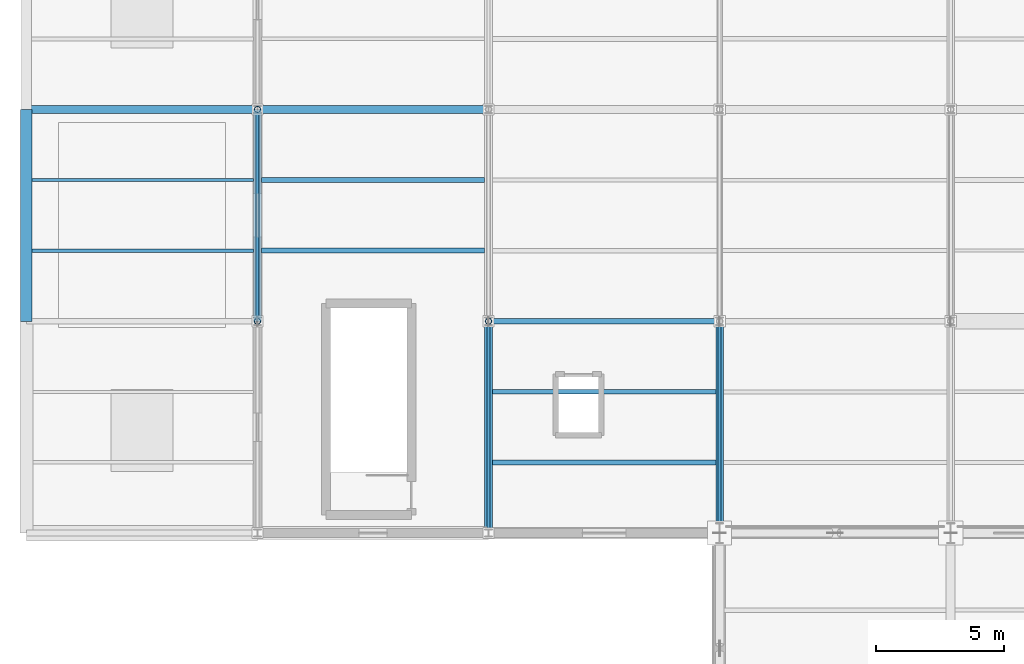
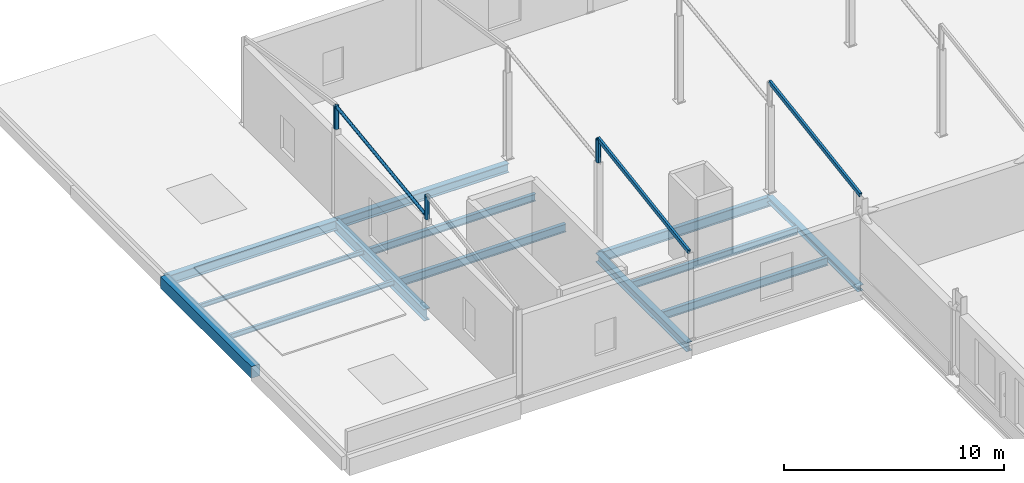
# One storey, part 12 of 54: 13 beams, 6 members.
"""IFC4 building model written with IfcOpenShell, lengths in metres."""

from ifc_helpers import new_model, si_unit, direction, frame, origin, origin_2d, place, context, subcontext, project, spatial, rectangle, hollow_rectangle, hollow_circle, i_section, extrude, material, material_profile, profile_set, type_object, element, save


model = new_model("IFC4")

# Units and contexts
model_context = context("Model", 3, precision=1e-05, world=origin(), true_north=direction((0.0, 1.0)))
body_context = subcontext(model_context, "Body", "Model", "MODEL_VIEW")
ifc_project = project(units=[si_unit("LENGTHUNIT", "METRE"), si_unit("AREAUNIT", "SQUARE_METRE"), si_unit("VOLUMEUNIT", "CUBIC_METRE"), si_unit("PLANEANGLEUNIT", "RADIAN"), si_unit("MASSUNIT", "GRAM", prefix="KILO")], contexts=[model_context])

# Site, building, storey
site_placement = place(None, origin())
site = spatial("IfcSite", under=ifc_project, at=site_placement, CompositionType="ELEMENT")
building_placement = place(site_placement, origin())
building = spatial("IfcBuilding", under=site, at=building_placement, Name="Sundgate Opera House", CompositionType="ELEMENT")
storey_placement = place(building_placement, frame((0.0, 0.0, 16.800048828125)))
storey = spatial("IfcBuildingStorey", under=building, at=storey_placement, Name="L03", CompositionType="ELEMENT", Elevation=16.800048828125)

# Beams
ifc_material_1 = material(Name="Steel S355J2", Category="steel")
ifc_material_profile_1 = material_profile(ifc_material_1, i_section(OverallWidth=0.300048828125, OverallDepth=0.330078125, WebThickness=0.009521484375, FlangeThickness=0.0166015625, at=origin_2d()), Name="HEA 340")
ifc_profile_set_1 = profile_set([ifc_material_profile_1], Name="Steel S355J2")
beam_type_1 = type_object("IfcBeamType", Name="BM-GR-HEA340", PredefinedType="BEAM", material=ifc_profile_set_1)
beam_1_placement = place(storey_placement, frame((27.0, 87.0, -0.405029296875), z_axis=(0.0, 1.0, 0.0), x_axis=(-1.0, 0.0, 0.0)))
element("IfcBeam", 1, at=beam_1_placement, inside=storey, type_object=beam_type_1, Name="L03 Primary N-S Girder B2468", PredefinedType="BEAM", context=body_context, shape_type="SweptSolid", body=[
    extrude(i_section(OverallWidth=0.300048828125, OverallDepth=0.330078125, WebThickness=0.009521484375, FlangeThickness=0.0166015625, at=origin_2d()), origin(), (0.0, 0.0, 1.0), 8.25),
])
ifc_material_2 = material(Name="Steel S355J2", Category="steel")
ifc_material_profile_2 = material_profile(ifc_material_2, i_section(OverallWidth=0.300048828125, OverallDepth=0.5, WebThickness=0.014404296875, FlangeThickness=0.028076171875, at=origin_2d()), Name="HEB 500")
ifc_profile_set_2 = profile_set([ifc_material_profile_2], Name="Steel S355J2")
beam_type_2 = type_object("IfcBeamType", Name="BM-GR-HEB500", PredefinedType="BEAM", material=ifc_profile_set_2)
beam_2_placement = place(storey_placement, frame((18.0, 87.0, -0.489990234375), z_axis=(0.0, 1.0, 0.0), x_axis=(-1.0, 0.0, 0.0)))
element("IfcBeam", 2, at=beam_2_placement, inside=storey, type_object=beam_type_2, Name="L03 Primary N-S Girder B2459", PredefinedType="BEAM", context=body_context, shape_type="SweptSolid", body=[
    extrude(i_section(OverallWidth=0.300048828125, OverallDepth=0.5, WebThickness=0.014404296875, FlangeThickness=0.028076171875, at=origin_2d()), origin(), (0.0, 0.0, 1.0), 8.25),
])
beam_3_placement = place(storey_placement, frame((9.0, 103.5, -0.489990234375), z_axis=(1.0, 0.0, 0.0), x_axis=(0.0, 1.0, 0.0)))
element("IfcBeam", 3, at=beam_3_placement, inside=storey, type_object=beam_type_2, Name="L03 Primary E-W Girder B2679", PredefinedType="BEAM", context=body_context, shape_type="SweptSolid", body=[
    extrude(i_section(OverallWidth=0.300048828125, OverallDepth=0.5, WebThickness=0.014404296875, FlangeThickness=0.028076171875, at=origin_2d()), origin(), (0.0, 0.0, 1.0), 9.0),
])
ifc_material_3 = material(Name="Steel S355J2", Category="steel")
ifc_material_profile_3 = material_profile(ifc_material_3, i_section(OverallWidth=0.300048828125, OverallDepth=0.550048828125, WebThickness=0.014892578125, FlangeThickness=0.029052734375, at=origin_2d()), Name="HEB 550")
ifc_profile_set_3 = profile_set([ifc_material_profile_3], Name="Steel S355J2")
beam_type_3 = type_object("IfcBeamType", Name="BM-GR-HEB550", PredefinedType="BEAM", material=ifc_profile_set_3)
beam_4_placement = place(storey_placement, frame((0.0, 103.5, -0.505126953125), z_axis=(1.0, 0.0, 0.0), x_axis=(0.0, 1.0, 0.0)))
element("IfcBeam", 4, at=beam_4_placement, inside=storey, type_object=beam_type_3, Name="L03 Primary E-W Girder B2678", PredefinedType="BEAM", context=body_context, shape_type="SweptSolid", body=[
    extrude(i_section(OverallWidth=0.300048828125, OverallDepth=0.550048828125, WebThickness=0.014892578125, FlangeThickness=0.029052734375, at=origin_2d()), origin(), (0.0, 0.0, 1.0), 9.0),
])
ifc_material_4 = material(Name="Steel S355J2", Category="steel")
ifc_material_profile_4 = material_profile(ifc_material_4, i_section(OverallWidth=0.300048828125, OverallDepth=0.64990234375, WebThickness=0.01611328125, FlangeThickness=0.031005859375, at=origin_2d()), Name="HEB 650")
ifc_profile_set_4 = profile_set([ifc_material_profile_4], Name="Steel S355J2")
beam_type_4 = type_object("IfcBeamType", Name="BM-GR-HEB650", PredefinedType="BEAM", material=ifc_profile_set_4)
beam_5_placement = place(storey_placement, frame((9.0, 95.25, -0.56494140625), z_axis=(0.0, 1.0, 0.0), x_axis=(-1.0, 0.0, 0.0)))
element("IfcBeam", 5, at=beam_5_placement, inside=storey, type_object=beam_type_4, Name="L03 Primary N-S Girder B2456", PredefinedType="BEAM", context=body_context, shape_type="SweptSolid", body=[
    extrude(i_section(OverallWidth=0.300048828125, OverallDepth=0.64990234375, WebThickness=0.01611328125, FlangeThickness=0.031005859375, at=origin_2d()), origin(), (0.0, 0.0, 1.0), 8.25),
])
ifc_material_5 = material(Name="Steel S355J2", Category="steel")
ifc_material_profile_5 = material_profile(ifc_material_5, i_section(OverallWidth=0.2099609375, OverallDepth=0.550048828125, WebThickness=0.010986328125, FlangeThickness=0.01708984375, at=origin_2d()), Name="IPE 550")
ifc_profile_set_5 = profile_set([ifc_material_profile_5], Name="Steel S355J2")
beam_type_5 = type_object("IfcBeamType", Name="BM-GR-IPE550", PredefinedType="BEAM", material=ifc_profile_set_5)
beam_6_placement = place(storey_placement, frame((18.0, 95.25, -0.51513671875), z_axis=(1.0, 0.0, 0.0), x_axis=(0.0, 1.0, 0.0)))
element("IfcBeam", 6, at=beam_6_placement, inside=storey, type_object=beam_type_5, Name="L03 Primary E-W Girder B2668", PredefinedType="BEAM", context=body_context, shape_type="SweptSolid", body=[
    extrude(i_section(OverallWidth=0.2099609375, OverallDepth=0.550048828125, WebThickness=0.010986328125, FlangeThickness=0.01708984375, at=origin_2d()), origin(), (0.0, 0.0, 1.0), 9.0),
])
ifc_material_6 = material(Name="Steel S355J2", Category="steel")
ifc_material_profile_6 = material_profile(ifc_material_6, i_section(OverallWidth=0.1201171875, OverallDepth=0.239990234375, WebThickness=0.006103515625, FlangeThickness=0.009765625, at=origin_2d()), Name="IPE 240")
ifc_profile_set_6 = profile_set([ifc_material_profile_6], Name="Steel S355J2")
beam_type_6 = type_object("IfcBeamType", Name="BM-JS-IPE240", PredefinedType="JOIST", material=ifc_profile_set_6)
beam_7_placement = place(storey_placement, frame((0.22509765625, 100.75, -0.35009765625), z_axis=(1.0, 0.0, 0.0), x_axis=(0.0, 1.0, 0.0)))
element("IfcBeam", 7, at=beam_7_placement, inside=storey, type_object=beam_type_6, Name="L03 Secondary Floor Joist B2831", PredefinedType="JOIST", context=body_context, shape_type="SweptSolid", body=[
    extrude(i_section(OverallWidth=0.1201171875, OverallDepth=0.239990234375, WebThickness=0.006103515625, FlangeThickness=0.009765625, at=origin_2d()), origin(), (0.0, 0.0, 1.0), 8.625),
])
ifc_material_7 = material(Name="Steel S355J2", Category="steel")
ifc_material_profile_7 = material_profile(ifc_material_7, i_section(OverallWidth=0.135009765625, OverallDepth=0.27001953125, WebThickness=0.006591796875, FlangeThickness=0.01025390625, at=origin_2d()), Name="IPE 270")
ifc_profile_set_7 = profile_set([ifc_material_profile_7], Name="Steel S355J2")
beam_type_7 = type_object("IfcBeamType", Name="BM-JS-IPE270", PredefinedType="JOIST", material=ifc_profile_set_7)
beam_8_placement = place(storey_placement, frame((0.22509765625, 98.0, -0.364990234375), z_axis=(1.0, 0.0, 0.0), x_axis=(0.0, 1.0, 0.0)))
element("IfcBeam", 8, at=beam_8_placement, inside=storey, type_object=beam_type_7, Name="L03 Secondary Floor Joist B2830", PredefinedType="JOIST", context=body_context, shape_type="SweptSolid", body=[
    extrude(i_section(OverallWidth=0.135009765625, OverallDepth=0.27001953125, WebThickness=0.006591796875, FlangeThickness=0.01025390625, at=origin_2d()), origin(), (0.0, 0.0, 1.0), 8.625),
])
ifc_material_8 = material(Name="Steel S355J2", Category="steel")
ifc_material_profile_8 = material_profile(ifc_material_8, i_section(OverallWidth=0.179931640625, OverallDepth=0.39990234375, WebThickness=0.008544921875, FlangeThickness=0.013427734375, at=origin_2d()), Name="IPE 400")
ifc_profile_set_8 = profile_set([ifc_material_profile_8], Name="Steel S355J2")
beam_type_8 = type_object("IfcBeamType", Name="BM-JS-IPE400", PredefinedType="JOIST", material=ifc_profile_set_8)
for number, where, z_axis, x_axis, name in (
    (9, (18.14990234375, 92.5, -0.43994140625), (1.0, 0.0, 0.0), (0.0, 1.0, 0.0), "L03 Secondary Floor Joist B2812"),
    (10, (9.14990234375, 100.75, -0.43994140625), (1.0, 0.0, 0.0), (0.0, 1.0, 0.0), "L03 Secondary Floor Joist B2833"),
):
    element("IfcBeam", number, at=place(storey_placement, frame(where, z_axis=z_axis, x_axis=x_axis)), inside=storey, type_object=beam_type_8, Name=name, PredefinedType="JOIST", context=body_context, shape_type="SweptSolid", body=[
        extrude(i_section(OverallWidth=0.179931640625, OverallDepth=0.39990234375, WebThickness=0.008544921875, FlangeThickness=0.013427734375, at=origin_2d()), origin(), (0.0, 0.0, 1.0), 8.7001953125),
    ])
ifc_material_9 = material(Name="Steel S355J2", Category="steel")
ifc_material_profile_9 = material_profile(ifc_material_9, i_section(OverallWidth=0.18994140625, OverallDepth=0.449951171875, WebThickness=0.009521484375, FlangeThickness=0.0146484375, at=origin_2d()), Name="IPE 450")
ifc_profile_set_9 = profile_set([ifc_material_profile_9], Name="Steel S355J2")
beam_type_9 = type_object("IfcBeamType", Name="BM-JS-IPE450", PredefinedType="JOIST", material=ifc_profile_set_9)
for number, where, z_axis, x_axis, name in (
    (11, (18.14990234375, 89.75, -0.465087890625), (1.0, 0.0, 0.0), (0.0, 1.0, 0.0), "L03 Secondary Floor Joist B2811"),
    (12, (9.14990234375, 98.0, -0.465087890625), (1.0, 0.0, 0.0), (0.0, 1.0, 0.0), "L03 Secondary Floor Joist B2832"),
):
    element("IfcBeam", number, at=place(storey_placement, frame(where, z_axis=z_axis, x_axis=x_axis)), inside=storey, type_object=beam_type_9, Name=name, PredefinedType="JOIST", context=body_context, shape_type="SweptSolid", body=[
        extrude(i_section(OverallWidth=0.18994140625, OverallDepth=0.449951171875, WebThickness=0.009521484375, FlangeThickness=0.0146484375, at=origin_2d()), origin(), (0.0, 0.0, 1.0), 8.7001953125),
    ])
ifc_material_10 = material(Name="Concrete C35/45", Category="concrete")
ifc_material_profile_10 = material_profile(ifc_material_10, rectangle(XDim=0.449951171875, YDim=0.64990234375, at=origin_2d()), Name="RC 450x650")
ifc_profile_set_10 = profile_set([ifc_material_profile_10], Name="Concrete C35/45")
beam_type_10 = type_object("IfcBeamType", Name="BM-RC-450x650", PredefinedType="BEAM", material=ifc_profile_set_10)
beam_9_placement = place(storey_placement, frame((0.0, 95.25, -0.554931640625), z_axis=(0.0, 1.0, 0.0), x_axis=(-1.0, 0.0, 0.0)))
element("IfcBeam", 13, at=beam_9_placement, inside=storey, type_object=beam_type_10, Name="L03 Primary N-S Girder B2452", PredefinedType="BEAM", context=body_context, shape_type="SweptSolid", body=[
    extrude(rectangle(XDim=0.449951171875, YDim=0.64990234375, at=origin_2d()), origin(), (0.0, 0.0, 1.0), 8.25),
])

# Members
ifc_material_11 = material(Name="Steel S355J2", Category="steel")
ifc_material_profile_11 = material_profile(ifc_material_11, hollow_circle(Radius=0.084228515625, WallThickness=0.010009765625, at=origin_2d()), Name="CHS 168.3x10.0")
ifc_profile_set_11 = profile_set([ifc_material_profile_11], Name="Steel S355J2")
member_type_1 = type_object("IfcMemberType", Name="MB-BRC-CHS168", PredefinedType="BRACE", material=ifc_profile_set_11)
member_placement = place(storey_placement, frame((9.0, 95.25, 4.89990234375), z_axis=(0.0, 0.991226363506, 0.132175248401), x_axis=(-1.0, 0.0, 0.0)))
element("IfcMember", 14, at=member_placement, inside=storey, type_object=member_type_1, Name="L03 Atelier Roof Brace M0462", PredefinedType="BRACE", context=body_context, shape_type="SweptSolid", body=[
    extrude(hollow_circle(Radius=0.084228515625, WallThickness=0.010009765625, at=origin_2d()), origin(), (0.0, 0.0, 1.0), 8.322998046875),
])
ifc_material_12 = material(Name="Steel S355J2", Category="steel")
ifc_material_profile_12 = material_profile(ifc_material_12, hollow_rectangle(XDim=0.1201171875, YDim=0.219970703125, WallThickness=0.010009765625, at=origin_2d()), Name="RHS 220x120x10.0")
ifc_profile_set_12 = profile_set([ifc_material_profile_12], Name="Steel S355J2")
member_type_2 = type_object("IfcMemberType", Name="MB-CHORD-RHS220", PredefinedType="CHORD", material=ifc_profile_set_12)
for number, where, z_axis, x_axis, name in (
    (15, (18.0, 87.0, 4.780029296875), (0.0, 0.988357491869, 0.152149493155), (-1.0, 0.0, 0.0), "Atelier Roof Rafter M0465"),
    (16, (27.0, 87.0, 4.780029296875), (0.0, 0.988357491869, 0.152149493155), (-1.0, 0.0, 0.0), "Atelier Roof Rafter M0472"),
):
    element("IfcMember", number, at=place(storey_placement, frame(where, z_axis=z_axis, x_axis=x_axis)), inside=storey, type_object=member_type_2, Name=name, PredefinedType="CHORD", context=body_context, shape_type="SweptSolid", body=[
        extrude(hollow_rectangle(XDim=0.1201171875, YDim=0.219970703125, WallThickness=0.010009765625, at=origin_2d()), origin(), (0.0, 0.0, 1.0), 8.34716796875),
    ])
ifc_material_13 = material(Name="Steel S355J2", Category="steel")
ifc_material_profile_13 = material_profile(ifc_material_13, hollow_circle(Radius=0.122314453125, WallThickness=0.012451171875, at=origin_2d()), Name="CHS 244.5x12.5")
ifc_profile_set_13 = profile_set([ifc_material_profile_13], Name="Steel S355J2")
member_type_3 = type_object("IfcMemberType", Name="MB-STRUT-CHS244", PredefinedType="STRUT", material=ifc_profile_set_13)
for number, where, z_axis, x_axis, name in (
    (17, (9.0, 95.25, 4.780029296875), (0.0, 0.0, 1.0), (1.0, 0.0, 0.0), "L03 Atelier Crown Post M0456"),
    (18, (9.0, 103.5, 4.780029296875), (0.0, 0.0, 1.0), (1.0, 0.0, 0.0), "L03 Atelier Crown Post M0457"),
    (19, (18.0, 95.25, 4.780029296875), (0.0, 0.0, 1.0), (1.0, 0.0, 0.0), "L03 Atelier Crown Post M0463"),
):
    element("IfcMember", number, at=place(storey_placement, frame(where, z_axis=z_axis, x_axis=x_axis)), inside=storey, type_object=member_type_3, Name=name, PredefinedType="STRUT", context=body_context, shape_type="SweptSolid", body=[
        extrude(hollow_circle(Radius=0.122314453125, WallThickness=0.012451171875, at=origin_2d()), origin(), (0.0, 0.0, 1.0), 1.27001953125),
    ])

save(model, "model.ifc")
